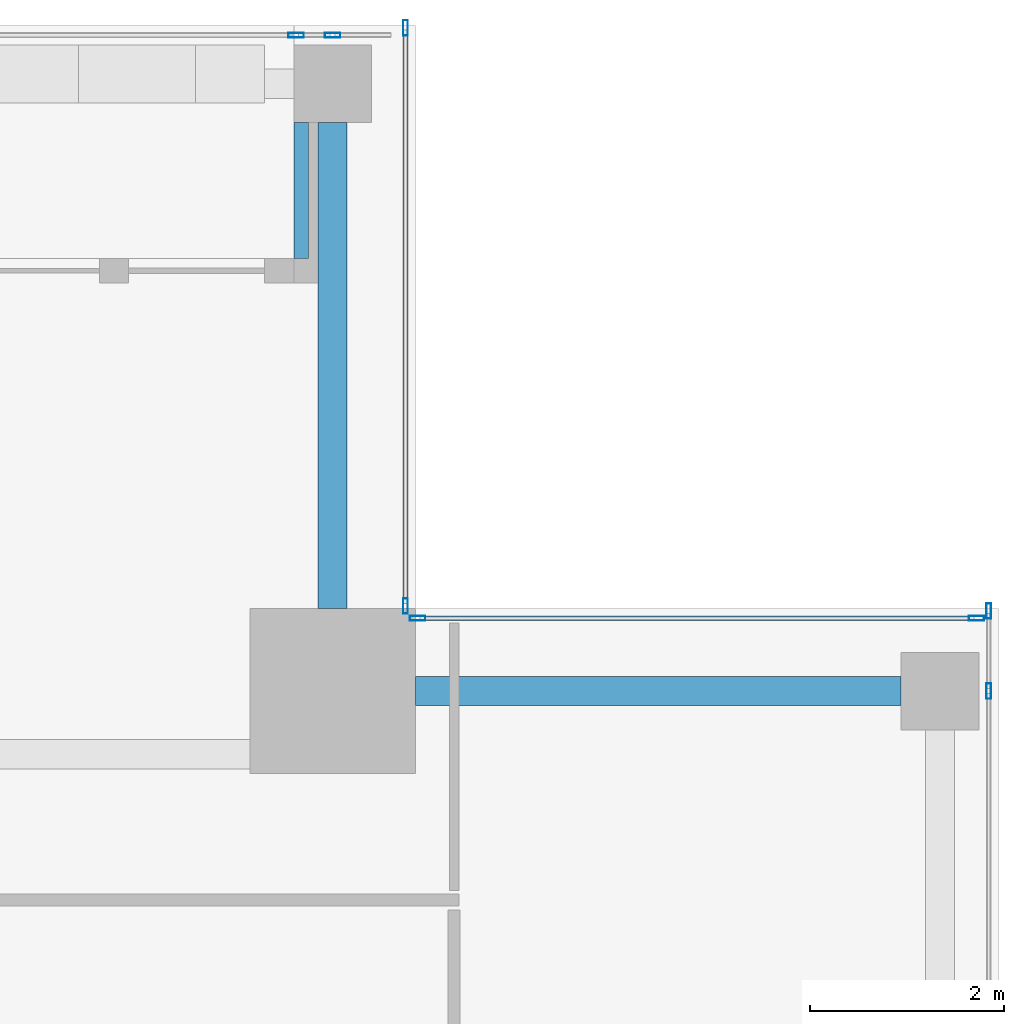
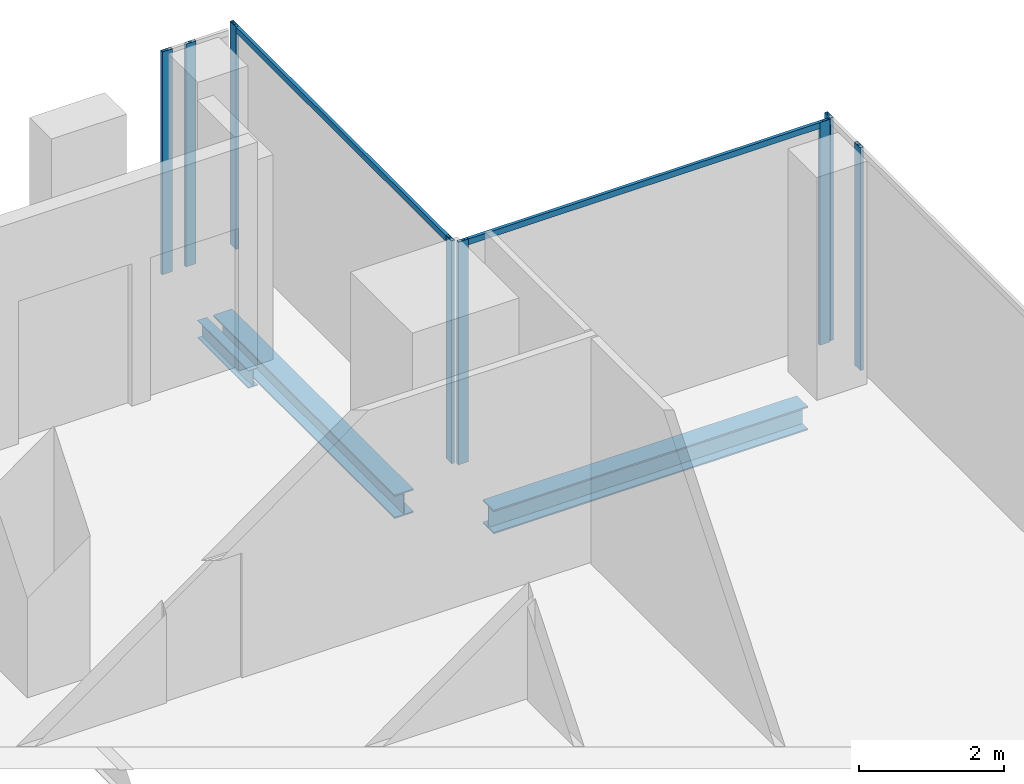
# One storey, part 18 of 29: 10 members, 3 beams, 4 elements without a shape of their own.
"""IFC4 building model written with IfcOpenShell, lengths in metres."""

from ifc_helpers import new_model, si_unit, direction, frame, origin, origin_2d, place, context, subcontext, project, spatial, hollow_rectangle, i_section, extrude, source, transform, mapped, material, material_profile, profile_set, type_object, element, aggregate, save


model = new_model("IFC4")

# Units and contexts
model_context = context("Model", 3, precision=1e-05, world=origin(), true_north=direction((0.0, 1.0)))
body_context = subcontext(model_context, "Body", "Model", "MODEL_VIEW")
ifc_project = project(units=[si_unit("LENGTHUNIT", "METRE"), si_unit("AREAUNIT", "SQUARE_METRE"), si_unit("VOLUMEUNIT", "CUBIC_METRE"), si_unit("PLANEANGLEUNIT", "RADIAN"), si_unit("MASSUNIT", "GRAM", prefix="KILO")], contexts=[model_context])

# Site, building, storey
site_placement = place(None, origin())
site = spatial("IfcSite", under=ifc_project, at=site_placement, CompositionType="ELEMENT")
building_placement = place(site_placement, origin())
building = spatial("IfcBuilding", under=site, at=building_placement, Name="Khomas Fold Tower", CompositionType="ELEMENT")
storey_placement = place(building_placement, frame((0.0, 0.0, 322.199951171875)))
storey = spatial("IfcBuildingStorey", under=building, at=storey_placement, Name="L73", CompositionType="ELEMENT", Elevation=322.199951171875)

# Beams
ifc_material_1 = material(Name="Steel S355", Category="steel")
ifc_material_profile_1 = material_profile(ifc_material_1, i_section(OverallWidth=0.300048828125, OverallDepth=0.39990234375, WebThickness=0.013427734375, FlangeThickness=0.02392578125, at=origin_2d()), Name="HE 400 B")
ifc_profile_set_1 = profile_set([ifc_material_profile_1], Name="Steel S355")
beam_type_1 = type_object("IfcBeamType", Name="HE 400 B spandrel SB5", PredefinedType="SPANDREL", material=ifc_profile_set_1)
shared_shape_1 = source(origin(), body_context, "Body", "SweptSolid", [
    extrude(i_section(OverallWidth=0.300048828125, OverallDepth=0.39990234375, WebThickness=0.013427734375, FlangeThickness=0.02392578125, at=origin_2d()), origin(), (0.0, 0.0, 1.0), 5.0),
])
for number, where, z_axis, x_axis, name in (
    (1, (42.0, 41.14990234375, -0.449951171875), (1.0, 0.0, 0.0), (0.0, 1.0, 0.0), "SB5"),
    (2, (41.14990234375, 42.0, -0.449951171875), (0.0, 1.0, 0.0), (-1.0, 0.0, 0.0), "SB5"),
):
    element("IfcBeam", number, at=place(storey_placement, frame(where, z_axis=z_axis, x_axis=x_axis)), inside=storey, type_object=beam_type_1, Name=name, PredefinedType="SPANDREL", context=body_context, shape_type="MappedRepresentation", body=[
        mapped(shared_shape_1, transform((0.0, 0.0, 0.0))),
    ])
ifc_material_2 = material(Name="Steel S355", Category="steel")
ifc_material_profile_2 = material_profile(ifc_material_2, i_section(OverallWidth=0.14990234375, OverallDepth=0.300048828125, WebThickness=0.007080078125, FlangeThickness=0.0107421875, at=origin_2d()), Name="IPE 300")
ifc_profile_set_2 = profile_set([ifc_material_profile_2], Name="Steel S355")
beam_type_2 = type_object("IfcBeamType", Name="IPE 300 beam BB2", PredefinedType="BEAM", material=ifc_profile_set_2)
shared_shape_2 = source(origin(), body_context, "Body", "SweptSolid", [
    extrude(i_section(OverallWidth=0.14990234375, OverallDepth=0.300048828125, WebThickness=0.007080078125, FlangeThickness=0.0107421875, at=origin_2d()), origin(), (0.0, 0.0, 1.0), 1.39990234375),
])
beam_placement = place(storey_placement, frame((40.824951171875, 45.60009765625, -0.39990234375), z_axis=(0.0, 1.0, 0.0), x_axis=(-1.0, 0.0, 0.0)))
element("IfcBeam", 3, at=beam_placement, inside=storey, type_object=beam_type_2, Name="BB2", PredefinedType="BEAM", context=body_context, shape_type="MappedRepresentation", body=[
    mapped(shared_shape_2, transform((0.0, 0.0, 0.0))),
])

# Curtain wall, members
ifc_material_3 = material(Name="Aluminium framed double glazing", Category="aluminium")
curtain_wall_type = type_object("IfcCurtainWallType", Name="SK-Unitised clear-glass wall, upper floors CW3", PredefinedType="NOTDEFINED", material=ifc_material_3)
curtain_wall_1_placement = place(storey_placement, origin())
curtain_wall_1 = element("IfcCurtainWall", 4, at=curtain_wall_1_placement, inside=storey, type_object=curtain_wall_type, Name="CW3 run L73 03-1", PredefinedType="NOTDEFINED")
ifc_material_4 = material(Name="Aluminium", Category="aluminium")
ifc_material_profile_3 = material_profile(ifc_material_4, hollow_rectangle(XDim=0.050048828125, YDim=0.159912109375, WallThickness=0.00390625, at=origin_2d()), Name="SK-Unitised clear-glass wall, upper floors mullion CW3-M")
ifc_profile_set_3 = profile_set([ifc_material_profile_3], Name="Aluminium")
member_type_1 = type_object("IfcMemberType", Name="SK-Unitised clear-glass wall, upper floors mullion CW3-M", PredefinedType="MULLION", material=ifc_profile_set_3)
shared_shape_3 = source(origin(), body_context, "Body", "SweptSolid", [
    extrude(hollow_rectangle(XDim=0.050048828125, YDim=0.159912109375, WallThickness=0.00390625, at=origin_2d()), origin(), (0.0, 0.0, 1.0), 3.75),
])
member_1_placement = place(storey_placement, frame((47.89990234375, 41.14990234375, 0.0), z_axis=(0.0, 0.0, 1.0), x_axis=(-1.0, 0.0, 0.0)))
member_1 = element("IfcMember", 5, at=member_1_placement, type_object=member_type_1, Name="CW3 mullion 4", PredefinedType="MULLION", context=body_context, shape_type="MappedRepresentation", body=[
    mapped(shared_shape_3, transform((0.0, 0.0, 0.0))),
])
member_2_placement = place(storey_placement, frame((47.89990234375, 41.97509765625, 0.0), z_axis=(0.0, 0.0, 1.0), x_axis=(-1.0, 0.0, 0.0)))
member_2 = element("IfcMember", 6, at=member_2_placement, type_object=member_type_1, Name="CW3 mullion 5", PredefinedType="MULLION", context=body_context, shape_type="MappedRepresentation", body=[
    mapped(shared_shape_3, transform((0.0, 0.0, 0.0))),
])
aggregate(curtain_wall_1, [member_1, member_2])

curtain_wall_2_placement = place(storey_placement, origin())
curtain_wall_2 = element("IfcCurtainWall", 7, at=curtain_wall_2_placement, inside=storey, type_object=curtain_wall_type, Name="CW3 corner return L73 04", PredefinedType="NOTDEFINED")
member_3_placement = place(storey_placement, frame((47.77490234375, 41.89990234375, 0.0), z_axis=(0.0, 0.0, 1.0), x_axis=(0.0, -1.0, 0.0)))
member_3 = element("IfcMember", 8, at=member_3_placement, type_object=member_type_1, Name="CW3 mullion 1", PredefinedType="MULLION", context=body_context, shape_type="MappedRepresentation", body=[
    mapped(shared_shape_3, transform((0.0, 0.0, 0.0))),
])
member_4_placement = place(storey_placement, frame((42.02490234375, 41.89990234375, 0.0), z_axis=(0.0, 0.0, 1.0), x_axis=(0.0, -1.0, 0.0)))
member_4 = element("IfcMember", 9, at=member_4_placement, type_object=member_type_1, Name="CW3 mullion 2", PredefinedType="MULLION", context=body_context, shape_type="MappedRepresentation", body=[
    mapped(shared_shape_3, transform((0.0, 0.0, 0.0))),
])

curtain_wall_3_placement = place(storey_placement, origin())
curtain_wall_3 = element("IfcCurtainWall", 10, at=curtain_wall_3_placement, inside=storey, type_object=curtain_wall_type, Name="CW3 corner return L73 05", PredefinedType="NOTDEFINED")
member_5_placement = place(storey_placement, frame((41.89990234375, 42.02490234375, 0.0), z_axis=(0.0, 0.0, 1.0), x_axis=(-1.0, 0.0, 0.0)))
member_5 = element("IfcMember", 11, at=member_5_placement, type_object=member_type_1, Name="CW3 mullion 1", PredefinedType="MULLION", context=body_context, shape_type="MappedRepresentation", body=[
    mapped(shared_shape_3, transform((0.0, 0.0, 0.0))),
])
member_6_placement = place(storey_placement, frame((41.89990234375, 47.97509765625, 0.0), z_axis=(0.0, 0.0, 1.0), x_axis=(-1.0, 0.0, 0.0)))
member_6 = element("IfcMember", 12, at=member_6_placement, type_object=member_type_1, Name="CW3 mullion 2", PredefinedType="MULLION", context=body_context, shape_type="MappedRepresentation", body=[
    mapped(shared_shape_3, transform((0.0, 0.0, 0.0))),
])

curtain_wall_4_placement = place(storey_placement, origin())
curtain_wall_4 = element("IfcCurtainWall", 13, at=curtain_wall_4_placement, inside=storey, type_object=curtain_wall_type, Name="CW3 run L73 06-0", PredefinedType="NOTDEFINED")
member_7_placement = place(storey_placement, frame((41.14990234375, 47.89990234375, 0.0), z_axis=(0.0, 0.0, 1.0), x_axis=(0.0, -1.0, 0.0)))
member_7 = element("IfcMember", 14, at=member_7_placement, type_object=member_type_1, Name="CW3 mullion 2", PredefinedType="MULLION", context=body_context, shape_type="MappedRepresentation", body=[
    mapped(shared_shape_3, transform((0.0, 0.0, 0.0))),
])
member_8_placement = place(storey_placement, frame((40.77490234375, 47.89990234375, 0.0), z_axis=(0.0, 0.0, 1.0), x_axis=(0.0, -1.0, 0.0)))
member_8 = element("IfcMember", 15, at=member_8_placement, type_object=member_type_1, Name="CW3 mullion 3", PredefinedType="MULLION", context=body_context, shape_type="MappedRepresentation", body=[
    mapped(shared_shape_3, transform((0.0, 0.0, 0.0))),
])
aggregate(curtain_wall_4, [member_7, member_8])

# Member
ifc_material_5 = material(Name="Aluminium", Category="aluminium")
ifc_material_profile_4 = material_profile(ifc_material_5, hollow_rectangle(XDim=0.050048828125, YDim=0.10009765625, WallThickness=0.00390625, at=origin_2d()), Name="SK-Unitised clear-glass wall, upper floors transom CW3-T")
ifc_profile_set_4 = profile_set([ifc_material_profile_4], Name="Aluminium")
member_type_2 = type_object("IfcMemberType", Name="SK-Unitised clear-glass wall, upper floors transom CW3-T", PredefinedType="USERDEFINED", material=ifc_profile_set_4)
shared_shape_4 = source(origin(), body_context, "Body", "SweptSolid", [
    extrude(hollow_rectangle(XDim=0.050048828125, YDim=0.10009765625, WallThickness=0.00390625, at=origin_2d()), origin(), (0.0, 0.0, 1.0), 5.699951171875),
])
member_9_placement = place(storey_placement, frame((47.75, 41.89990234375, 3.699951171875), z_axis=(-1.0, 0.0, 0.0), x_axis=(0.0, -1.0, 0.0)))
member_9 = element("IfcMember", 16, at=member_9_placement, type_object=member_type_2, Name="CW3 transom 1", ObjectType="TRANSOM", PredefinedType="USERDEFINED", context=body_context, shape_type="MappedRepresentation", body=[
    mapped(shared_shape_4, transform((0.0, 0.0, 0.0))),
])

aggregate(curtain_wall_2, [member_3, member_4, member_9])

shared_shape_5 = source(origin(), body_context, "Body", "SweptSolid", [
    extrude(hollow_rectangle(XDim=0.050048828125, YDim=0.10009765625, WallThickness=0.00390625, at=origin_2d()), origin(), (0.0, 0.0, 1.0), 5.89990234375),
])
member_10_placement = place(storey_placement, frame((41.89990234375, 42.050048828125, 3.699951171875), z_axis=(0.0, 1.0, 0.0), x_axis=(-1.0, 0.0, 0.0)))
member_10 = element("IfcMember", 17, at=member_10_placement, type_object=member_type_2, Name="CW3 transom 1", ObjectType="TRANSOM", PredefinedType="USERDEFINED", context=body_context, shape_type="MappedRepresentation", body=[
    mapped(shared_shape_5, transform((0.0, 0.0, 0.0))),
])

aggregate(curtain_wall_3, [member_5, member_6, member_10])

save(model, "model.ifc")
